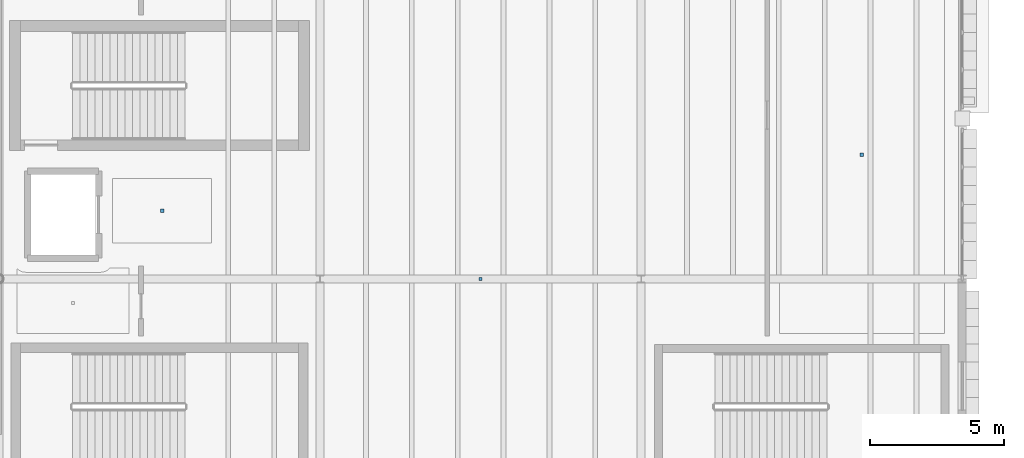
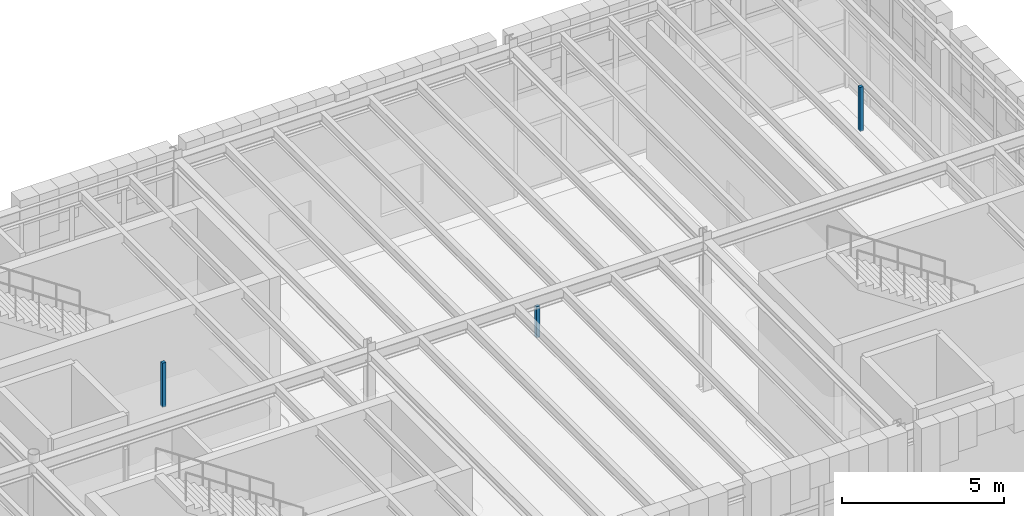
# One storey, part 56 of 83: 3 discrete accessories.
"""IFC4 building model written with IfcOpenShell, lengths in metres."""

from ifc_helpers import new_model, si_unit, direction, frame, origin, origin_2d, place, context, subcontext, project, spatial, rectangle, extrude, material, type_object, element, save


model = new_model("IFC4")

# Units and contexts
model_context = context("Model", 3, precision=1e-05, world=origin(), true_north=direction((0.0, 1.0)))
body_context = subcontext(model_context, "Body", "Model", "MODEL_VIEW")
ifc_project = project(units=[si_unit("LENGTHUNIT", "METRE"), si_unit("AREAUNIT", "SQUARE_METRE"), si_unit("VOLUMEUNIT", "CUBIC_METRE"), si_unit("PLANEANGLEUNIT", "RADIAN"), si_unit("MASSUNIT", "GRAM", prefix="KILO")], contexts=[model_context])

# Site, building, storey
site_placement = place(None, origin())
site = spatial("IfcSite", under=ifc_project, at=site_placement, CompositionType="ELEMENT")
building_placement = place(site_placement, origin())
building = spatial("IfcBuilding", under=site, at=building_placement, Name="Zlatogorsky Bluff Art Gallery", CompositionType="ELEMENT")
storey_placement = place(building_placement, frame((0.0, 0.0, 10.800048828125)))
storey = spatial("IfcBuildingStorey", under=building, at=storey_placement, Name="L02", CompositionType="ELEMENT", Elevation=10.800048828125)

# Discrete accessories
ifc_material = material(Name="Steel S355", Category="steel")
discrete_accessory_type = type_object("IfcDiscreteAccessoryType", Name="Stainless Facade Fin Bracket BRK-01", PredefinedType="BRACKET", material=ifc_material)
discrete_accessory_1_placement = place(storey_placement, frame((126.10009765625, 98.550048828125, 4.05517578125), z_axis=(0.0, 0.0, 1.0), x_axis=(1.0, 0.0, 0.0)))
element("IfcDiscreteAccessory", 1, at=discrete_accessory_1_placement, inside=storey, type_object=discrete_accessory_type, Name="Acoustic ceiling suspension hanger L02-PL-1-LB", PredefinedType="BRACKET", context=body_context, shape_type="SweptSolid", body=[
    extrude(rectangle(XDim=0.1201171875, YDim=0.1201171875, at=origin_2d()), origin(), (0.0, 0.0, 1.0), 1.659912109375),
])
discrete_accessory_2_placement = place(storey_placement, frame((138.0, 96.0, 4.054931640625), z_axis=(0.0, 0.0, 1.0), x_axis=(1.0, 0.0, 0.0)))
element("IfcDiscreteAccessory", 2, at=discrete_accessory_2_placement, inside=storey, type_object=discrete_accessory_type, Name="Acoustic ceiling suspension hanger L02-CR-12", PredefinedType="BRACKET", context=body_context, shape_type="SweptSolid", body=[
    extrude(rectangle(XDim=0.1201171875, YDim=0.1201171875, at=origin_2d()), origin(), (0.0, 0.0, 1.0), 1.169921875),
])
discrete_accessory_3_placement = place(storey_placement, frame((152.245361328125, 100.64501953125, 4.05517578125), z_axis=(0.0, 0.0, 1.0), x_axis=(1.0, 0.0, 0.0)))
element("IfcDiscreteAccessory", 3, at=discrete_accessory_3_placement, inside=storey, type_object=discrete_accessory_type, Name="Acoustic ceiling suspension hanger L02-CR-13", PredefinedType="BRACKET", context=body_context, shape_type="SweptSolid", body=[
    extrude(rectangle(XDim=0.1201171875, YDim=0.1201171875, at=origin_2d()), origin(), (0.0, 0.0, 1.0), 1.659912109375),
])

save(model, "model.ifc")
